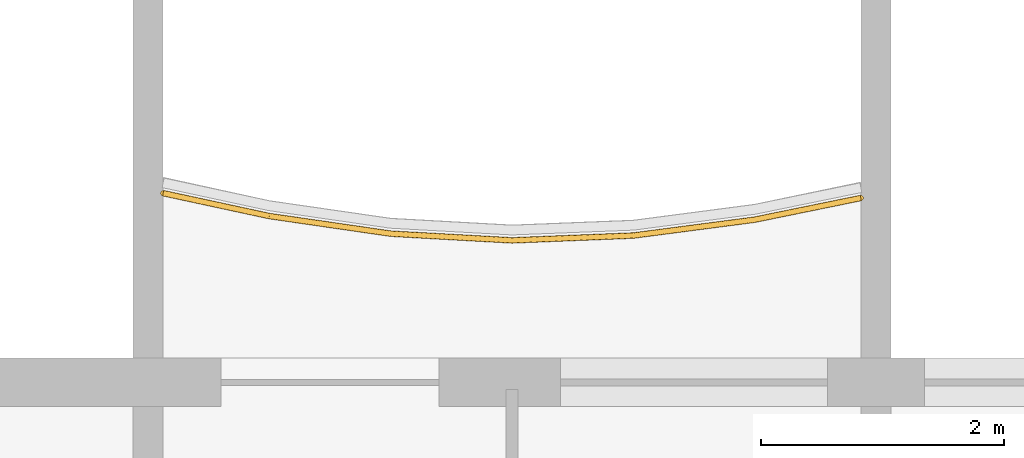
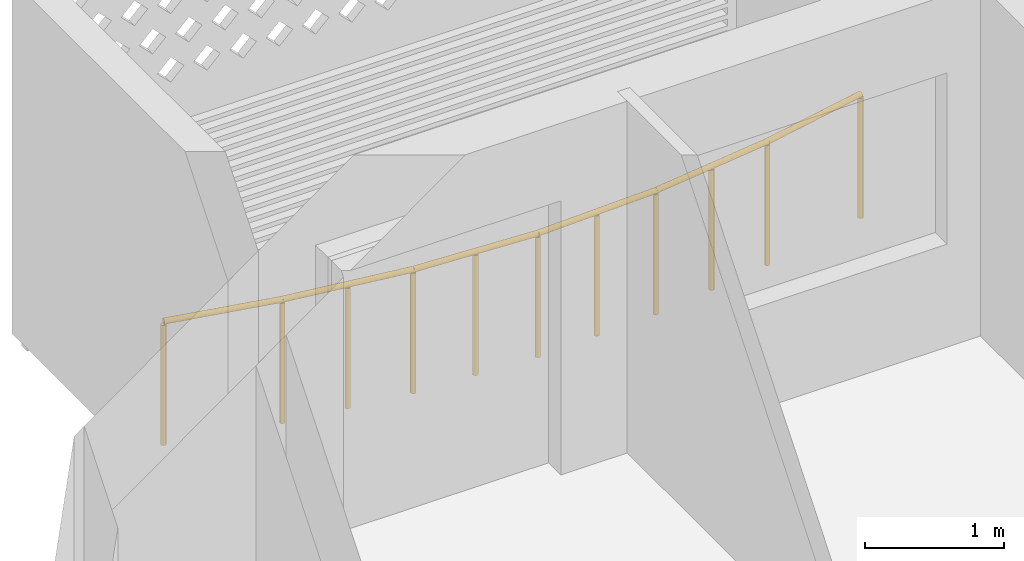
# One storey, part 15 of 26: 1 railing.
"""IFC4 building model written with IfcOpenShell, lengths in metres."""

from ifc_helpers import new_model, si_unit, direction, frame, origin, origin_2d, place, context, subcontext, project, spatial, circle, extrude, material, type_object, element, save


model = new_model("IFC4")

# Units and contexts
model_context = context("Model", 3, precision=1e-05, world=origin(), true_north=direction((0.0, 1.0)))
body_context = subcontext(model_context, "Body", "Model", "MODEL_VIEW")
ifc_project = project(units=[si_unit("LENGTHUNIT", "METRE"), si_unit("AREAUNIT", "SQUARE_METRE"), si_unit("VOLUMEUNIT", "CUBIC_METRE"), si_unit("PLANEANGLEUNIT", "RADIAN"), si_unit("MASSUNIT", "GRAM", prefix="KILO")], contexts=[model_context])

# Site, building, storey
site_placement = place(None, origin())
site = spatial("IfcSite", under=ifc_project, at=site_placement, CompositionType="ELEMENT")
building_placement = place(site_placement, origin())
building = spatial("IfcBuilding", under=site, at=building_placement, Name="Poui Terraces", CompositionType="ELEMENT")
storey_placement = place(building_placement, frame((0.0, 0.0, 244.5)))
storey = spatial("IfcBuildingStorey", under=building, at=storey_placement, Name="L68", CompositionType="ELEMENT", Elevation=244.5)

# Railing
ifc_material = material(Name="Painted steel fretwork", Category="steel")
railing_type = type_object("IfcRailingType", Name="BALCONY GUARD 1100", PredefinedType="GUARDRAIL", material=ifc_material)
railing_placement = place(storey_placement, frame((24.125, 42.759521484375, 0.0)))
element("IfcRailing", 1, at=railing_placement, inside=storey, type_object=railing_type, Name="BALCONY GUARD", PredefinedType="GUARDRAIL", context=body_context, shape_type="SweptSolid", body=[
    extrude(circle(Radius=0.02392578125, at=origin_2d()), frame((0.0, 0.0, 1.076171875), z_axis=(0.977522146276, -0.210832762018, 0.0), x_axis=(0.210832762018, 0.977522146276, 0.0)), (0.0, 0.0, 1.0), 0.89501953125),
    extrude(circle(Radius=0.02392578125, at=origin_2d()), frame((0.875, -0.188720703125, 1.076171875), z_axis=(0.989647671833, -0.143518241472, 0.0), x_axis=(0.143518241472, 0.989647671833, 0.0)), (0.0, 0.0, 1.0), 1.010498046875),
    extrude(circle(Radius=0.02392578125, at=origin_2d()), frame((1.875, -0.333740234375, 1.076171875), z_axis=(0.998467844587, -0.055335009942, 0.0), x_axis=(0.055335009942, 0.998467844587, 0.0)), (0.0, 0.0, 1.0), 1.00146484375),
    extrude(circle(Radius=0.02392578125, at=origin_2d()), frame((2.875, -0.38916015625, 1.076171875), z_axis=(0.99920912132, 0.03976344892, 0.0), x_axis=(-0.03976344892, 0.99920912132, 0.0)), (0.0, 0.0, 1.0), 1.000732421875),
    extrude(circle(Radius=0.02392578125, at=origin_2d()), frame((3.875, -0.349365234375, 1.076171875), z_axis=(0.991546329967, 0.129753133023, 0.0), x_axis=(-0.129753133023, 0.991546329967, 0.0)), (0.0, 0.0, 1.0), 1.008544921875),
    extrude(circle(Radius=0.02392578125, at=origin_2d()), frame((4.875, -0.218505859375, 1.076171875), z_axis=(0.979773441626, 0.200109977475, 0.0), x_axis=(-0.200109977475, 0.979773441626, 0.0)), (0.0, 0.0, 1.0), 0.89306640625),
    extrude(circle(Radius=0.02099609375, at=origin_2d()), origin(), (0.0, 0.0, 1.0), 1.052001953125),
    extrude(circle(Radius=0.02099609375, at=origin_2d()), frame((0.875, -0.188720703125, 0.0)), (0.0, 0.0, 1.0), 1.052001953125),
    extrude(circle(Radius=0.02099609375, at=origin_2d()), frame((1.375, -0.26123046875, 0.0)), (0.0, 0.0, 1.0), 1.052001953125),
    extrude(circle(Radius=0.02099609375, at=origin_2d()), frame((1.875, -0.333740234375, 0.0)), (0.0, 0.0, 1.0), 1.052001953125),
    extrude(circle(Radius=0.02099609375, at=origin_2d()), frame((2.375, -0.361328125, 0.0)), (0.0, 0.0, 1.0), 1.052001953125),
    extrude(circle(Radius=0.02099609375, at=origin_2d()), frame((2.875, -0.38916015625, 0.0)), (0.0, 0.0, 1.0), 1.052001953125),
    extrude(circle(Radius=0.02099609375, at=origin_2d()), frame((3.375, -0.369140625, 0.0)), (0.0, 0.0, 1.0), 1.052001953125),
    extrude(circle(Radius=0.02099609375, at=origin_2d()), frame((3.875, -0.349365234375, 0.0)), (0.0, 0.0, 1.0), 1.052001953125),
    extrude(circle(Radius=0.02099609375, at=origin_2d()), frame((4.375, -0.283935546875, 0.0)), (0.0, 0.0, 1.0), 1.052001953125),
    extrude(circle(Radius=0.02099609375, at=origin_2d()), frame((4.875, -0.218505859375, 0.0)), (0.0, 0.0, 1.0), 1.052001953125),
    extrude(circle(Radius=0.02099609375, at=origin_2d()), frame((5.75, -0.039794921875, 0.0)), (0.0, 0.0, 1.0), 1.052001953125),
])

save(model, "model.ifc")
